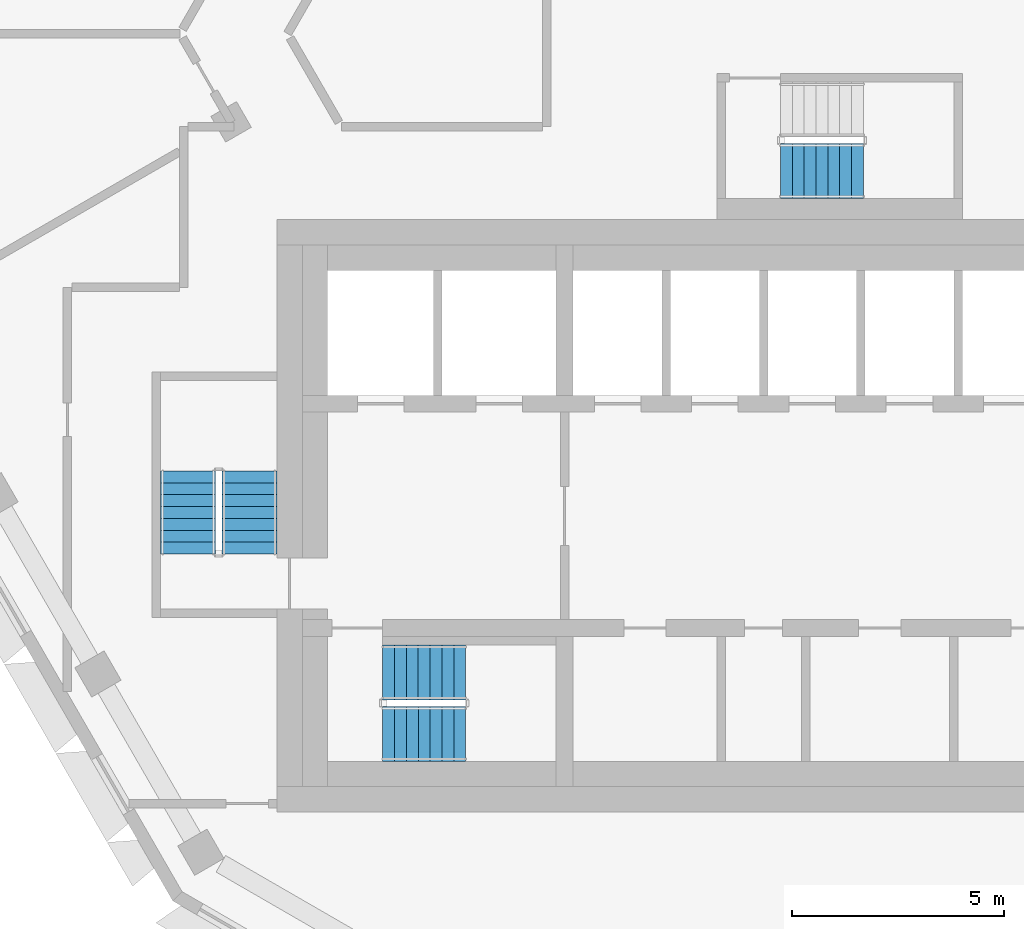
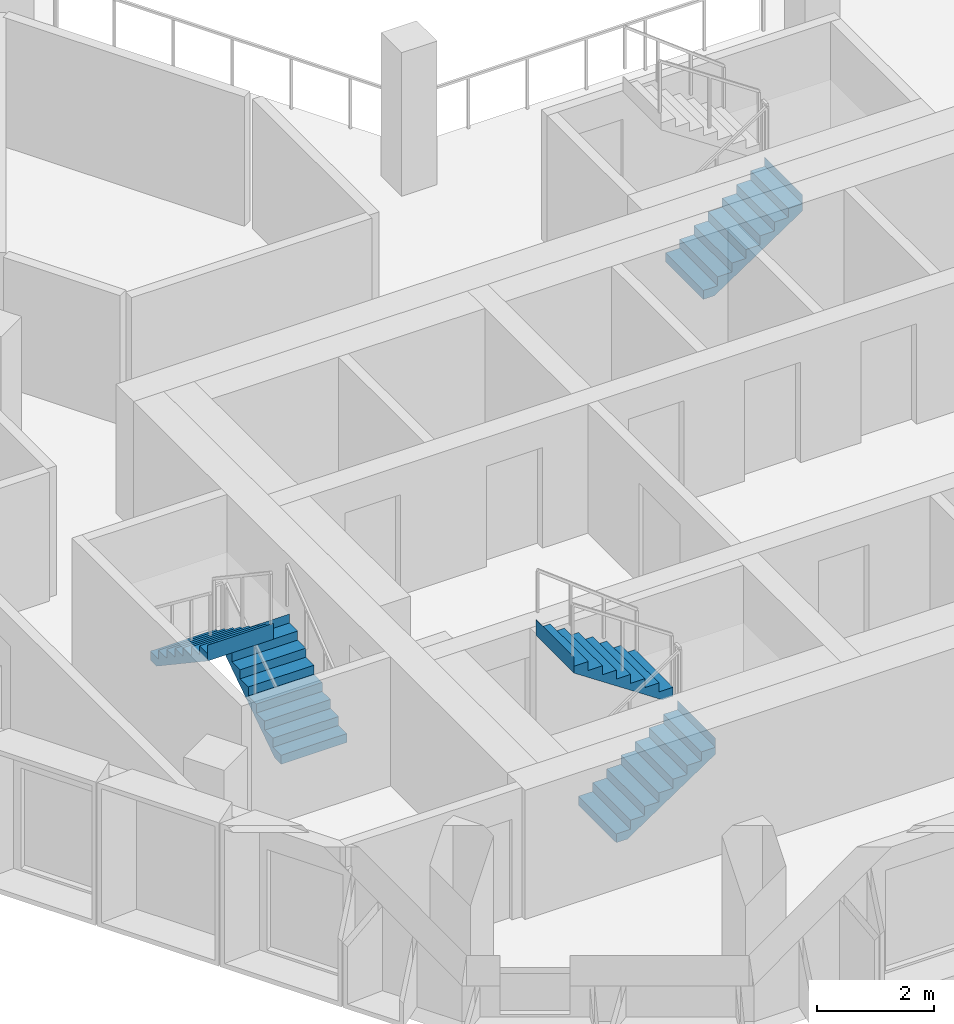
# One storey, part 9 of 15: 5 stair flights, 3 elements without a shape of their own.
"""IFC4 building model written with IfcOpenShell, lengths in metres."""

from ifc_helpers import new_model, si_unit, direction, frame, origin, place, context, subcontext, project, spatial, triangles, material, type_object, element, aggregate, save


model = new_model("IFC4")

# Units and contexts
model_context = context("Model", 3, precision=1e-05, world=origin(), true_north=direction((0.0, 1.0)))
body_context = subcontext(model_context, "Body", "Model", "MODEL_VIEW")
ifc_project = project(units=[si_unit("LENGTHUNIT", "METRE"), si_unit("AREAUNIT", "SQUARE_METRE"), si_unit("VOLUMEUNIT", "CUBIC_METRE"), si_unit("PLANEANGLEUNIT", "RADIAN"), si_unit("MASSUNIT", "GRAM", prefix="KILO")], contexts=[model_context])

# Site, building, storey
site_placement = place(None, origin())
site = spatial("IfcSite", under=ifc_project, at=site_placement, CompositionType="ELEMENT")
building_placement = place(site_placement, origin())
building = spatial("IfcBuilding", under=site, at=building_placement, Name="Beryl Residences", CompositionType="ELEMENT")
storey_placement = place(building_placement, frame((0.0, 0.0, 163.199951171875)))
storey = spatial("IfcBuildingStorey", under=building, at=storey_placement, Name="L49", CompositionType="ELEMENT", Elevation=163.199951171875)

# Stair, stair flights
ifc_material_1 = material(Name="Concrete C40/50", Category="concrete")
stair_type = type_object("IfcStairType", Name="ST1 protected exit stair, half-turn, 1300 mm flights", PredefinedType="HALF_TURN_STAIR", material=ifc_material_1)
stair_1_placement = place(storey_placement, origin())
stair_1 = element("IfcStair", 1, at=stair_1_placement, inside=storey, type_object=stair_type, Name="L49 PROTECTED EXIT STAIR ST-1", PredefinedType="HALF_TURN_STAIR")
ifc_material_2 = material(Name="Concrete C40/50", Category="concrete")
stair_flight_type = type_object("IfcStairFlightType", Name="SF1 stair flight 1300 mm", PredefinedType="STRAIGHT", material=ifc_material_2)
stair_flight_1_placement = place(storey_placement, frame((-10.800048828125, -17.14990234375, 0.0), z_axis=(0.0, 0.0, 1.0), x_axis=(1.0, 0.0, 0.0)))
stair_flight_1 = element("IfcStairFlight", 2, at=stair_flight_1_placement, type_object=stair_flight_type, Name="ST-1 flight 1", NumberOfRisers=8, NumberOfTreads=7, PredefinedType="STRAIGHT", RiserHeight=0.1875, TreadLength=0.28, context=body_context, shape_type="Tessellation", body=[
    triangles([(0.0, -0.64990234375, 0.0), (0.0, -0.324951171875, 0.0), (0.0, 0.0, 0.0), (0.0, 0.324951171875, 0.0), (0.0, 0.64990234375, 0.0), (0.0, -0.64990234375, 0.1875), (0.0, -0.324951171875, 0.1875), (0.0, 0.0, 0.1875), (0.0, 0.324951171875, 0.1875), (0.0, 0.64990234375, 0.1875), (0.280029296875, -0.64990234375, 0.1875), (0.280029296875, -0.324951171875, 0.1875), (0.280029296875, 0.0, 0.1875), (0.280029296875, 0.324951171875, 0.1875), (0.280029296875, 0.64990234375, 0.1875), (0.280029296875, -0.64990234375, 0.375), (0.280029296875, -0.324951171875, 0.375), (0.280029296875, 0.0, 0.375), (0.280029296875, 0.324951171875, 0.375), (0.280029296875, 0.64990234375, 0.375), (0.56005859375, -0.64990234375, 0.375), (0.56005859375, -0.324951171875, 0.375), (0.56005859375, 0.0, 0.375), (0.56005859375, 0.324951171875, 0.375), (0.56005859375, 0.64990234375, 0.375), (0.56005859375, -0.64990234375, 0.5625), (0.56005859375, -0.324951171875, 0.5625), (0.56005859375, 0.0, 0.5625), (0.56005859375, 0.324951171875, 0.5625), (0.56005859375, 0.64990234375, 0.5625), (0.840087890625, -0.64990234375, 0.5625), (0.840087890625, -0.324951171875, 0.5625), (0.840087890625, 0.0, 0.5625), (0.840087890625, 0.324951171875, 0.5625), (0.840087890625, 0.64990234375, 0.5625), (0.840087890625, -0.64990234375, 0.75), (0.840087890625, -0.324951171875, 0.75), (0.840087890625, 0.0, 0.75), (0.840087890625, 0.324951171875, 0.75), (0.840087890625, 0.64990234375, 0.75), (1.1201171875, -0.64990234375, 0.75), (1.1201171875, -0.324951171875, 0.75), (1.1201171875, 0.0, 0.75), (1.1201171875, 0.324951171875, 0.75), (1.1201171875, 0.64990234375, 0.75), (1.1201171875, -0.64990234375, 0.9375), (1.1201171875, -0.324951171875, 0.9375), (1.1201171875, 0.0, 0.9375), (1.1201171875, 0.324951171875, 0.9375), (1.1201171875, 0.64990234375, 0.9375), (1.39990234375, -0.64990234375, 0.9375), (1.39990234375, -0.324951171875, 0.9375), (1.39990234375, 0.0, 0.9375), (1.39990234375, 0.324951171875, 0.9375), (1.39990234375, 0.64990234375, 0.9375), (1.39990234375, -0.64990234375, 1.125), (1.39990234375, -0.324951171875, 1.125), (1.39990234375, 0.0, 1.125), (1.39990234375, 0.324951171875, 1.125), (1.39990234375, 0.64990234375, 1.125), (1.679931640625, -0.64990234375, 1.125), (1.679931640625, -0.324951171875, 1.125), (1.679931640625, 0.0, 1.125), (1.679931640625, 0.324951171875, 1.125), (1.679931640625, 0.64990234375, 1.125), (1.679931640625, -0.64990234375, 1.3125), (1.679931640625, -0.324951171875, 1.3125), (1.679931640625, 0.0, 1.3125), (1.679931640625, 0.324951171875, 1.3125), (1.679931640625, 0.64990234375, 1.3125), (1.9599609375, -0.64990234375, 1.3125), (1.9599609375, -0.324951171875, 1.3125), (1.9599609375, 0.0, 1.3125), (1.9599609375, 0.324951171875, 1.3125), (1.9599609375, 0.64990234375, 1.3125), (1.9599609375, -0.64990234375, 1.5), (1.9599609375, -0.324951171875, 1.5), (1.9599609375, 0.0, 1.5), (1.9599609375, 0.324951171875, 1.5), (1.9599609375, 0.64990234375, 1.5), (1.9609375, -0.64990234375, 1.5), (1.9609375, -0.324951171875, 1.5), (1.9609375, 0.0, 1.5), (1.9609375, 0.324951171875, 1.5), (1.9609375, 0.64990234375, 1.5), (1.9609375, -0.64990234375, 1.16796875), (1.9609375, -0.324951171875, 1.16796875), (1.9609375, 0.0, 1.16796875), (1.9609375, 0.324951171875, 1.16796875), (1.9609375, 0.64990234375, 1.16796875), (0.216796875, -0.64990234375, 0.0), (0.216796875, -0.324951171875, 0.0), (0.216796875, 0.0, 0.0), (0.216796875, 0.324951171875, 0.0), (0.216796875, 0.64990234375, 0.0)], [[1, 6, 7], [1, 7, 2], [2, 7, 8], [2, 8, 3], [3, 8, 9], [3, 9, 4], [4, 9, 10], [4, 10, 5], [6, 11, 12], [6, 12, 7], [7, 12, 13], [7, 13, 8], [8, 13, 14], [8, 14, 9], [9, 14, 15], [9, 15, 10], [11, 16, 17], [11, 17, 12], [12, 17, 18], [12, 18, 13], [13, 18, 19], [13, 19, 14], [14, 19, 20], [14, 20, 15], [16, 21, 22], [16, 22, 17], [17, 22, 23], [17, 23, 18], [18, 23, 24], [18, 24, 19], [19, 24, 25], [19, 25, 20], [21, 26, 27], [21, 27, 22], [22, 27, 28], [22, 28, 23], [23, 28, 29], [23, 29, 24], [24, 29, 30], [24, 30, 25], [26, 31, 32], [26, 32, 27], [27, 32, 33], [27, 33, 28], [28, 33, 34], [28, 34, 29], [29, 34, 35], [29, 35, 30], [31, 36, 37], [31, 37, 32], [32, 37, 38], [32, 38, 33], [33, 38, 39], [33, 39, 34], [34, 39, 40], [34, 40, 35], [36, 41, 42], [36, 42, 37], [37, 42, 43], [37, 43, 38], [38, 43, 44], [38, 44, 39], [39, 44, 45], [39, 45, 40], [41, 46, 47], [41, 47, 42], [42, 47, 48], [42, 48, 43], [43, 48, 49], [43, 49, 44], [44, 49, 50], [44, 50, 45], [46, 51, 52], [46, 52, 47], [47, 52, 53], [47, 53, 48], [48, 53, 54], [48, 54, 49], [49, 54, 55], [49, 55, 50], [51, 56, 57], [51, 57, 52], [52, 57, 58], [52, 58, 53], [53, 58, 59], [53, 59, 54], [54, 59, 60], [54, 60, 55], [56, 61, 62], [56, 62, 57], [57, 62, 63], [57, 63, 58], [58, 63, 64], [58, 64, 59], [59, 64, 65], [59, 65, 60], [61, 66, 67], [61, 67, 62], [62, 67, 68], [62, 68, 63], [63, 68, 69], [63, 69, 64], [64, 69, 70], [64, 70, 65], [66, 71, 72], [66, 72, 67], [67, 72, 73], [67, 73, 68], [68, 73, 74], [68, 74, 69], [69, 74, 75], [69, 75, 70], [71, 76, 77], [71, 77, 72], [72, 77, 78], [72, 78, 73], [73, 78, 79], [73, 79, 74], [74, 79, 80], [74, 80, 75], [76, 81, 82], [76, 82, 77], [77, 82, 83], [77, 83, 78], [78, 83, 84], [78, 84, 79], [79, 84, 85], [79, 85, 80], [81, 86, 87], [81, 87, 82], [82, 87, 88], [82, 88, 83], [83, 88, 89], [83, 89, 84], [84, 89, 90], [84, 90, 85], [86, 91, 92], [86, 92, 87], [87, 92, 93], [87, 93, 88], [88, 93, 94], [88, 94, 89], [89, 94, 95], [89, 95, 90], [91, 1, 2], [91, 2, 92], [92, 2, 3], [92, 3, 93], [93, 3, 4], [93, 4, 94], [94, 4, 5], [94, 5, 95], [1, 91, 86], [5, 90, 95], [86, 81, 76], [90, 80, 85], [86, 76, 71], [90, 75, 80], [86, 71, 66], [90, 70, 75], [86, 66, 61], [90, 65, 70], [61, 56, 51], [65, 55, 60], [86, 61, 51], [90, 55, 65], [51, 46, 41], [55, 45, 50], [86, 51, 41], [90, 45, 55], [41, 36, 31], [45, 35, 40], [86, 41, 31], [90, 35, 45], [31, 26, 21], [35, 25, 30], [86, 31, 21], [90, 25, 35], [21, 16, 11], [25, 15, 20], [86, 21, 11], [90, 15, 25], [1, 86, 11], [5, 15, 90], [11, 6, 1], [15, 5, 10]], closed=True),
])
stair_flight_2_placement = place(storey_placement, frame((-8.840087890625, -15.699951171875, 1.5), z_axis=(0.0, 0.0, 1.0), x_axis=(-1.0, 0.0, 0.0)))
stair_flight_2 = element("IfcStairFlight", 3, at=stair_flight_2_placement, type_object=stair_flight_type, Name="ST-1 flight 2", NumberOfRisers=8, NumberOfTreads=7, PredefinedType="STRAIGHT", RiserHeight=0.1875, TreadLength=0.28, context=body_context, shape_type="Tessellation", body=[
    triangles([(0.0, -0.64990234375, 0.0), (0.0, -0.324951171875, 0.0), (0.0, 0.0, 0.0), (0.0, 0.324951171875, 0.0), (0.0, 0.64990234375, 0.0), (0.0, -0.64990234375, 0.1875), (0.0, -0.324951171875, 0.1875), (0.0, 0.0, 0.1875), (0.0, 0.324951171875, 0.1875), (0.0, 0.64990234375, 0.1875), (0.280029296875, -0.64990234375, 0.1875), (0.280029296875, -0.324951171875, 0.1875), (0.280029296875, 0.0, 0.1875), (0.280029296875, 0.324951171875, 0.1875), (0.280029296875, 0.64990234375, 0.1875), (0.280029296875, -0.64990234375, 0.375), (0.280029296875, -0.324951171875, 0.375), (0.280029296875, 0.0, 0.375), (0.280029296875, 0.324951171875, 0.375), (0.280029296875, 0.64990234375, 0.375), (0.56005859375, -0.64990234375, 0.375), (0.56005859375, -0.324951171875, 0.375), (0.56005859375, 0.0, 0.375), (0.56005859375, 0.324951171875, 0.375), (0.56005859375, 0.64990234375, 0.375), (0.56005859375, -0.64990234375, 0.5625), (0.56005859375, -0.324951171875, 0.5625), (0.56005859375, 0.0, 0.5625), (0.56005859375, 0.324951171875, 0.5625), (0.56005859375, 0.64990234375, 0.5625), (0.840087890625, -0.64990234375, 0.5625), (0.840087890625, -0.324951171875, 0.5625), (0.840087890625, 0.0, 0.5625), (0.840087890625, 0.324951171875, 0.5625), (0.840087890625, 0.64990234375, 0.5625), (0.840087890625, -0.64990234375, 0.75), (0.840087890625, -0.324951171875, 0.75), (0.840087890625, 0.0, 0.75), (0.840087890625, 0.324951171875, 0.75), (0.840087890625, 0.64990234375, 0.75), (1.1201171875, -0.64990234375, 0.75), (1.1201171875, -0.324951171875, 0.75), (1.1201171875, 0.0, 0.75), (1.1201171875, 0.324951171875, 0.75), (1.1201171875, 0.64990234375, 0.75), (1.1201171875, -0.64990234375, 0.9375), (1.1201171875, -0.324951171875, 0.9375), (1.1201171875, 0.0, 0.9375), (1.1201171875, 0.324951171875, 0.9375), (1.1201171875, 0.64990234375, 0.9375), (1.39990234375, -0.64990234375, 0.9375), (1.39990234375, -0.324951171875, 0.9375), (1.39990234375, 0.0, 0.9375), (1.39990234375, 0.324951171875, 0.9375), (1.39990234375, 0.64990234375, 0.9375), (1.39990234375, -0.64990234375, 1.125), (1.39990234375, -0.324951171875, 1.125), (1.39990234375, 0.0, 1.125), (1.39990234375, 0.324951171875, 1.125), (1.39990234375, 0.64990234375, 1.125), (1.679931640625, -0.64990234375, 1.125), (1.679931640625, -0.324951171875, 1.125), (1.679931640625, 0.0, 1.125), (1.679931640625, 0.324951171875, 1.125), (1.679931640625, 0.64990234375, 1.125), (1.679931640625, -0.64990234375, 1.3125), (1.679931640625, -0.324951171875, 1.3125), (1.679931640625, 0.0, 1.3125), (1.679931640625, 0.324951171875, 1.3125), (1.679931640625, 0.64990234375, 1.3125), (1.9599609375, -0.64990234375, 1.3125), (1.9599609375, -0.324951171875, 1.3125), (1.9599609375, 0.0, 1.3125), (1.9599609375, 0.324951171875, 1.3125), (1.9599609375, 0.64990234375, 1.3125), (1.9599609375, -0.64990234375, 1.5), (1.9599609375, -0.324951171875, 1.5), (1.9599609375, 0.0, 1.5), (1.9599609375, 0.324951171875, 1.5), (1.9599609375, 0.64990234375, 1.5), (1.9609375, -0.64990234375, 1.5), (1.9609375, -0.324951171875, 1.5), (1.9609375, 0.0, 1.5), (1.9609375, 0.324951171875, 1.5), (1.9609375, 0.64990234375, 1.5), (1.9609375, -0.64990234375, 1.16796875), (1.9609375, -0.324951171875, 1.16796875), (1.9609375, 0.0, 1.16796875), (1.9609375, 0.324951171875, 1.16796875), (1.9609375, 0.64990234375, 1.16796875), (0.216796875, -0.64990234375, 0.0), (0.216796875, -0.324951171875, 0.0), (0.216796875, 0.0, 0.0), (0.216796875, 0.324951171875, 0.0), (0.216796875, 0.64990234375, 0.0)], [[1, 6, 7], [1, 7, 2], [2, 7, 8], [2, 8, 3], [3, 8, 9], [3, 9, 4], [4, 9, 10], [4, 10, 5], [6, 11, 12], [6, 12, 7], [7, 12, 13], [7, 13, 8], [8, 13, 14], [8, 14, 9], [9, 14, 15], [9, 15, 10], [11, 16, 17], [11, 17, 12], [12, 17, 18], [12, 18, 13], [13, 18, 19], [13, 19, 14], [14, 19, 20], [14, 20, 15], [16, 21, 22], [16, 22, 17], [17, 22, 23], [17, 23, 18], [18, 23, 24], [18, 24, 19], [19, 24, 25], [19, 25, 20], [21, 26, 27], [21, 27, 22], [22, 27, 28], [22, 28, 23], [23, 28, 29], [23, 29, 24], [24, 29, 30], [24, 30, 25], [26, 31, 32], [26, 32, 27], [27, 32, 33], [27, 33, 28], [28, 33, 34], [28, 34, 29], [29, 34, 35], [29, 35, 30], [31, 36, 37], [31, 37, 32], [32, 37, 38], [32, 38, 33], [33, 38, 39], [33, 39, 34], [34, 39, 40], [34, 40, 35], [36, 41, 42], [36, 42, 37], [37, 42, 43], [37, 43, 38], [38, 43, 44], [38, 44, 39], [39, 44, 45], [39, 45, 40], [41, 46, 47], [41, 47, 42], [42, 47, 48], [42, 48, 43], [43, 48, 49], [43, 49, 44], [44, 49, 50], [44, 50, 45], [46, 51, 52], [46, 52, 47], [47, 52, 53], [47, 53, 48], [48, 53, 54], [48, 54, 49], [49, 54, 55], [49, 55, 50], [51, 56, 57], [51, 57, 52], [52, 57, 58], [52, 58, 53], [53, 58, 59], [53, 59, 54], [54, 59, 60], [54, 60, 55], [56, 61, 62], [56, 62, 57], [57, 62, 63], [57, 63, 58], [58, 63, 64], [58, 64, 59], [59, 64, 65], [59, 65, 60], [61, 66, 67], [61, 67, 62], [62, 67, 68], [62, 68, 63], [63, 68, 69], [63, 69, 64], [64, 69, 70], [64, 70, 65], [66, 71, 72], [66, 72, 67], [67, 72, 73], [67, 73, 68], [68, 73, 74], [68, 74, 69], [69, 74, 75], [69, 75, 70], [71, 76, 77], [71, 77, 72], [72, 77, 78], [72, 78, 73], [73, 78, 79], [73, 79, 74], [74, 79, 80], [74, 80, 75], [76, 81, 82], [76, 82, 77], [77, 82, 83], [77, 83, 78], [78, 83, 84], [78, 84, 79], [79, 84, 85], [79, 85, 80], [81, 86, 87], [81, 87, 82], [82, 87, 88], [82, 88, 83], [83, 88, 89], [83, 89, 84], [84, 89, 90], [84, 90, 85], [86, 91, 92], [86, 92, 87], [87, 92, 93], [87, 93, 88], [88, 93, 94], [88, 94, 89], [89, 94, 95], [89, 95, 90], [91, 1, 2], [91, 2, 92], [92, 2, 3], [92, 3, 93], [93, 3, 4], [93, 4, 94], [94, 4, 5], [94, 5, 95], [1, 91, 86], [5, 90, 95], [86, 81, 76], [90, 80, 85], [86, 76, 71], [90, 75, 80], [86, 71, 66], [90, 70, 75], [86, 66, 61], [90, 65, 70], [61, 56, 51], [65, 55, 60], [86, 61, 51], [90, 55, 65], [51, 46, 41], [55, 45, 50], [86, 51, 41], [90, 45, 55], [41, 36, 31], [45, 35, 40], [86, 41, 31], [90, 35, 45], [31, 26, 21], [35, 25, 30], [86, 31, 21], [90, 25, 35], [21, 16, 11], [25, 15, 20], [86, 21, 11], [90, 15, 25], [1, 86, 11], [5, 15, 90], [11, 6, 1], [15, 5, 10]], closed=True),
])
aggregate(stair_1, [stair_flight_1, stair_flight_2])

stair_2_placement = place(storey_placement, origin())
stair_2 = element("IfcStair", 4, at=stair_2_placement, inside=storey, type_object=stair_type, Name="L49 PROTECTED EXIT STAIR ST-2", PredefinedType="HALF_TURN_STAIR")
stair_flight_3_placement = place(storey_placement, frame((-13.949951171875, -12.89990234375, 0.0), z_axis=(0.0, 0.0, 1.0), x_axis=(0.0, 1.0, 0.0)))
stair_flight_3 = element("IfcStairFlight", 5, at=stair_flight_3_placement, type_object=stair_flight_type, Name="ST-2 flight 1", NumberOfRisers=8, NumberOfTreads=7, PredefinedType="STRAIGHT", RiserHeight=0.1875, TreadLength=0.28, context=body_context, shape_type="Tessellation", body=[
    triangles([(0.0, -0.64990234375, 0.0), (0.0, -0.324951171875, 0.0), (0.0, 0.0, 0.0), (0.0, 0.324951171875, 0.0), (0.0, 0.64990234375, 0.0), (0.0, -0.64990234375, 0.1875), (0.0, -0.324951171875, 0.1875), (0.0, 0.0, 0.1875), (0.0, 0.324951171875, 0.1875), (0.0, 0.64990234375, 0.1875), (0.280029296875, -0.64990234375, 0.1875), (0.280029296875, -0.324951171875, 0.1875), (0.280029296875, 0.0, 0.1875), (0.280029296875, 0.324951171875, 0.1875), (0.280029296875, 0.64990234375, 0.1875), (0.280029296875, -0.64990234375, 0.375), (0.280029296875, -0.324951171875, 0.375), (0.280029296875, 0.0, 0.375), (0.280029296875, 0.324951171875, 0.375), (0.280029296875, 0.64990234375, 0.375), (0.56005859375, -0.64990234375, 0.375), (0.56005859375, -0.324951171875, 0.375), (0.56005859375, 0.0, 0.375), (0.56005859375, 0.324951171875, 0.375), (0.56005859375, 0.64990234375, 0.375), (0.56005859375, -0.64990234375, 0.5625), (0.56005859375, -0.324951171875, 0.5625), (0.56005859375, 0.0, 0.5625), (0.56005859375, 0.324951171875, 0.5625), (0.56005859375, 0.64990234375, 0.5625), (0.840087890625, -0.64990234375, 0.5625), (0.840087890625, -0.324951171875, 0.5625), (0.840087890625, 0.0, 0.5625), (0.840087890625, 0.324951171875, 0.5625), (0.840087890625, 0.64990234375, 0.5625), (0.840087890625, -0.64990234375, 0.75), (0.840087890625, -0.324951171875, 0.75), (0.840087890625, 0.0, 0.75), (0.840087890625, 0.324951171875, 0.75), (0.840087890625, 0.64990234375, 0.75), (1.1201171875, -0.64990234375, 0.75), (1.1201171875, -0.324951171875, 0.75), (1.1201171875, 0.0, 0.75), (1.1201171875, 0.324951171875, 0.75), (1.1201171875, 0.64990234375, 0.75), (1.1201171875, -0.64990234375, 0.9375), (1.1201171875, -0.324951171875, 0.9375), (1.1201171875, 0.0, 0.9375), (1.1201171875, 0.324951171875, 0.9375), (1.1201171875, 0.64990234375, 0.9375), (1.39990234375, -0.64990234375, 0.9375), (1.39990234375, -0.324951171875, 0.9375), (1.39990234375, 0.0, 0.9375), (1.39990234375, 0.324951171875, 0.9375), (1.39990234375, 0.64990234375, 0.9375), (1.39990234375, -0.64990234375, 1.125), (1.39990234375, -0.324951171875, 1.125), (1.39990234375, 0.0, 1.125), (1.39990234375, 0.324951171875, 1.125), (1.39990234375, 0.64990234375, 1.125), (1.679931640625, -0.64990234375, 1.125), (1.679931640625, -0.324951171875, 1.125), (1.679931640625, 0.0, 1.125), (1.679931640625, 0.324951171875, 1.125), (1.679931640625, 0.64990234375, 1.125), (1.679931640625, -0.64990234375, 1.3125), (1.679931640625, -0.324951171875, 1.3125), (1.679931640625, 0.0, 1.3125), (1.679931640625, 0.324951171875, 1.3125), (1.679931640625, 0.64990234375, 1.3125), (1.9599609375, -0.64990234375, 1.3125), (1.9599609375, -0.324951171875, 1.3125), (1.9599609375, 0.0, 1.3125), (1.9599609375, 0.324951171875, 1.3125), (1.9599609375, 0.64990234375, 1.3125), (1.9599609375, -0.64990234375, 1.5), (1.9599609375, -0.324951171875, 1.5), (1.9599609375, 0.0, 1.5), (1.9599609375, 0.324951171875, 1.5), (1.9599609375, 0.64990234375, 1.5), (1.9609375, -0.64990234375, 1.5), (1.9609375, -0.324951171875, 1.5), (1.9609375, 0.0, 1.5), (1.9609375, 0.324951171875, 1.5), (1.9609375, 0.64990234375, 1.5), (1.9609375, -0.64990234375, 1.16796875), (1.9609375, -0.324951171875, 1.16796875), (1.9609375, 0.0, 1.16796875), (1.9609375, 0.324951171875, 1.16796875), (1.9609375, 0.64990234375, 1.16796875), (0.216796875, -0.64990234375, 0.0), (0.216796875, -0.324951171875, 0.0), (0.216796875, 0.0, 0.0), (0.216796875, 0.324951171875, 0.0), (0.216796875, 0.64990234375, 0.0)], [[1, 6, 7], [1, 7, 2], [2, 7, 8], [2, 8, 3], [3, 8, 9], [3, 9, 4], [4, 9, 10], [4, 10, 5], [6, 11, 12], [6, 12, 7], [7, 12, 13], [7, 13, 8], [8, 13, 14], [8, 14, 9], [9, 14, 15], [9, 15, 10], [11, 16, 17], [11, 17, 12], [12, 17, 18], [12, 18, 13], [13, 18, 19], [13, 19, 14], [14, 19, 20], [14, 20, 15], [16, 21, 22], [16, 22, 17], [17, 22, 23], [17, 23, 18], [18, 23, 24], [18, 24, 19], [19, 24, 25], [19, 25, 20], [21, 26, 27], [21, 27, 22], [22, 27, 28], [22, 28, 23], [23, 28, 29], [23, 29, 24], [24, 29, 30], [24, 30, 25], [26, 31, 32], [26, 32, 27], [27, 32, 33], [27, 33, 28], [28, 33, 34], [28, 34, 29], [29, 34, 35], [29, 35, 30], [31, 36, 37], [31, 37, 32], [32, 37, 38], [32, 38, 33], [33, 38, 39], [33, 39, 34], [34, 39, 40], [34, 40, 35], [36, 41, 42], [36, 42, 37], [37, 42, 43], [37, 43, 38], [38, 43, 44], [38, 44, 39], [39, 44, 45], [39, 45, 40], [41, 46, 47], [41, 47, 42], [42, 47, 48], [42, 48, 43], [43, 48, 49], [43, 49, 44], [44, 49, 50], [44, 50, 45], [46, 51, 52], [46, 52, 47], [47, 52, 53], [47, 53, 48], [48, 53, 54], [48, 54, 49], [49, 54, 55], [49, 55, 50], [51, 56, 57], [51, 57, 52], [52, 57, 58], [52, 58, 53], [53, 58, 59], [53, 59, 54], [54, 59, 60], [54, 60, 55], [56, 61, 62], [56, 62, 57], [57, 62, 63], [57, 63, 58], [58, 63, 64], [58, 64, 59], [59, 64, 65], [59, 65, 60], [61, 66, 67], [61, 67, 62], [62, 67, 68], [62, 68, 63], [63, 68, 69], [63, 69, 64], [64, 69, 70], [64, 70, 65], [66, 71, 72], [66, 72, 67], [67, 72, 73], [67, 73, 68], [68, 73, 74], [68, 74, 69], [69, 74, 75], [69, 75, 70], [71, 76, 77], [71, 77, 72], [72, 77, 78], [72, 78, 73], [73, 78, 79], [73, 79, 74], [74, 79, 80], [74, 80, 75], [76, 81, 82], [76, 82, 77], [77, 82, 83], [77, 83, 78], [78, 83, 84], [78, 84, 79], [79, 84, 85], [79, 85, 80], [81, 86, 87], [81, 87, 82], [82, 87, 88], [82, 88, 83], [83, 88, 89], [83, 89, 84], [84, 89, 90], [84, 90, 85], [86, 91, 92], [86, 92, 87], [87, 92, 93], [87, 93, 88], [88, 93, 94], [88, 94, 89], [89, 94, 95], [89, 95, 90], [91, 1, 2], [91, 2, 92], [92, 2, 3], [92, 3, 93], [93, 3, 4], [93, 4, 94], [94, 4, 5], [94, 5, 95], [1, 91, 86], [5, 90, 95], [86, 81, 76], [90, 80, 85], [86, 76, 71], [90, 75, 80], [86, 71, 66], [90, 70, 75], [86, 66, 61], [90, 65, 70], [61, 56, 51], [65, 55, 60], [86, 61, 51], [90, 55, 65], [51, 46, 41], [55, 45, 50], [86, 51, 41], [90, 45, 55], [41, 36, 31], [45, 35, 40], [86, 41, 31], [90, 35, 45], [31, 26, 21], [35, 25, 30], [86, 31, 21], [90, 25, 35], [21, 16, 11], [25, 15, 20], [86, 21, 11], [90, 15, 25], [1, 86, 11], [5, 15, 90], [11, 6, 1], [15, 5, 10]], closed=True),
])
stair_flight_4_placement = place(storey_placement, frame((-15.39990234375, -10.93994140625, 1.5), z_axis=(0.0, 0.0, 1.0), x_axis=(0.0, -1.0, 0.0)))
stair_flight_4 = element("IfcStairFlight", 6, at=stair_flight_4_placement, type_object=stair_flight_type, Name="ST-2 flight 2", NumberOfRisers=8, NumberOfTreads=7, PredefinedType="STRAIGHT", RiserHeight=0.1875, TreadLength=0.28, context=body_context, shape_type="Tessellation", body=[
    triangles([(0.0, -0.64990234375, 0.0), (0.0, -0.324951171875, 0.0), (0.0, 0.0, 0.0), (0.0, 0.324951171875, 0.0), (0.0, 0.64990234375, 0.0), (0.0, -0.64990234375, 0.1875), (0.0, -0.324951171875, 0.1875), (0.0, 0.0, 0.1875), (0.0, 0.324951171875, 0.1875), (0.0, 0.64990234375, 0.1875), (0.280029296875, -0.64990234375, 0.1875), (0.280029296875, -0.324951171875, 0.1875), (0.280029296875, 0.0, 0.1875), (0.280029296875, 0.324951171875, 0.1875), (0.280029296875, 0.64990234375, 0.1875), (0.280029296875, -0.64990234375, 0.375), (0.280029296875, -0.324951171875, 0.375), (0.280029296875, 0.0, 0.375), (0.280029296875, 0.324951171875, 0.375), (0.280029296875, 0.64990234375, 0.375), (0.56005859375, -0.64990234375, 0.375), (0.56005859375, -0.324951171875, 0.375), (0.56005859375, 0.0, 0.375), (0.56005859375, 0.324951171875, 0.375), (0.56005859375, 0.64990234375, 0.375), (0.56005859375, -0.64990234375, 0.5625), (0.56005859375, -0.324951171875, 0.5625), (0.56005859375, 0.0, 0.5625), (0.56005859375, 0.324951171875, 0.5625), (0.56005859375, 0.64990234375, 0.5625), (0.840087890625, -0.64990234375, 0.5625), (0.840087890625, -0.324951171875, 0.5625), (0.840087890625, 0.0, 0.5625), (0.840087890625, 0.324951171875, 0.5625), (0.840087890625, 0.64990234375, 0.5625), (0.840087890625, -0.64990234375, 0.75), (0.840087890625, -0.324951171875, 0.75), (0.840087890625, 0.0, 0.75), (0.840087890625, 0.324951171875, 0.75), (0.840087890625, 0.64990234375, 0.75), (1.1201171875, -0.64990234375, 0.75), (1.1201171875, -0.324951171875, 0.75), (1.1201171875, 0.0, 0.75), (1.1201171875, 0.324951171875, 0.75), (1.1201171875, 0.64990234375, 0.75), (1.1201171875, -0.64990234375, 0.9375), (1.1201171875, -0.324951171875, 0.9375), (1.1201171875, 0.0, 0.9375), (1.1201171875, 0.324951171875, 0.9375), (1.1201171875, 0.64990234375, 0.9375), (1.39990234375, -0.64990234375, 0.9375), (1.39990234375, -0.324951171875, 0.9375), (1.39990234375, 0.0, 0.9375), (1.39990234375, 0.324951171875, 0.9375), (1.39990234375, 0.64990234375, 0.9375), (1.39990234375, -0.64990234375, 1.125), (1.39990234375, -0.324951171875, 1.125), (1.39990234375, 0.0, 1.125), (1.39990234375, 0.324951171875, 1.125), (1.39990234375, 0.64990234375, 1.125), (1.679931640625, -0.64990234375, 1.125), (1.679931640625, -0.324951171875, 1.125), (1.679931640625, 0.0, 1.125), (1.679931640625, 0.324951171875, 1.125), (1.679931640625, 0.64990234375, 1.125), (1.679931640625, -0.64990234375, 1.3125), (1.679931640625, -0.324951171875, 1.3125), (1.679931640625, 0.0, 1.3125), (1.679931640625, 0.324951171875, 1.3125), (1.679931640625, 0.64990234375, 1.3125), (1.9599609375, -0.64990234375, 1.3125), (1.9599609375, -0.324951171875, 1.3125), (1.9599609375, 0.0, 1.3125), (1.9599609375, 0.324951171875, 1.3125), (1.9599609375, 0.64990234375, 1.3125), (1.9599609375, -0.64990234375, 1.5), (1.9599609375, -0.324951171875, 1.5), (1.9599609375, 0.0, 1.5), (1.9599609375, 0.324951171875, 1.5), (1.9599609375, 0.64990234375, 1.5), (1.9609375, -0.64990234375, 1.5), (1.9609375, -0.324951171875, 1.5), (1.9609375, 0.0, 1.5), (1.9609375, 0.324951171875, 1.5), (1.9609375, 0.64990234375, 1.5), (1.9609375, -0.64990234375, 1.16796875), (1.9609375, -0.324951171875, 1.16796875), (1.9609375, 0.0, 1.16796875), (1.9609375, 0.324951171875, 1.16796875), (1.9609375, 0.64990234375, 1.16796875), (0.216796875, -0.64990234375, 0.0), (0.216796875, -0.324951171875, 0.0), (0.216796875, 0.0, 0.0), (0.216796875, 0.324951171875, 0.0), (0.216796875, 0.64990234375, 0.0)], [[1, 6, 7], [1, 7, 2], [2, 7, 8], [2, 8, 3], [3, 8, 9], [3, 9, 4], [4, 9, 10], [4, 10, 5], [6, 11, 12], [6, 12, 7], [7, 12, 13], [7, 13, 8], [8, 13, 14], [8, 14, 9], [9, 14, 15], [9, 15, 10], [11, 16, 17], [11, 17, 12], [12, 17, 18], [12, 18, 13], [13, 18, 19], [13, 19, 14], [14, 19, 20], [14, 20, 15], [16, 21, 22], [16, 22, 17], [17, 22, 23], [17, 23, 18], [18, 23, 24], [18, 24, 19], [19, 24, 25], [19, 25, 20], [21, 26, 27], [21, 27, 22], [22, 27, 28], [22, 28, 23], [23, 28, 29], [23, 29, 24], [24, 29, 30], [24, 30, 25], [26, 31, 32], [26, 32, 27], [27, 32, 33], [27, 33, 28], [28, 33, 34], [28, 34, 29], [29, 34, 35], [29, 35, 30], [31, 36, 37], [31, 37, 32], [32, 37, 38], [32, 38, 33], [33, 38, 39], [33, 39, 34], [34, 39, 40], [34, 40, 35], [36, 41, 42], [36, 42, 37], [37, 42, 43], [37, 43, 38], [38, 43, 44], [38, 44, 39], [39, 44, 45], [39, 45, 40], [41, 46, 47], [41, 47, 42], [42, 47, 48], [42, 48, 43], [43, 48, 49], [43, 49, 44], [44, 49, 50], [44, 50, 45], [46, 51, 52], [46, 52, 47], [47, 52, 53], [47, 53, 48], [48, 53, 54], [48, 54, 49], [49, 54, 55], [49, 55, 50], [51, 56, 57], [51, 57, 52], [52, 57, 58], [52, 58, 53], [53, 58, 59], [53, 59, 54], [54, 59, 60], [54, 60, 55], [56, 61, 62], [56, 62, 57], [57, 62, 63], [57, 63, 58], [58, 63, 64], [58, 64, 59], [59, 64, 65], [59, 65, 60], [61, 66, 67], [61, 67, 62], [62, 67, 68], [62, 68, 63], [63, 68, 69], [63, 69, 64], [64, 69, 70], [64, 70, 65], [66, 71, 72], [66, 72, 67], [67, 72, 73], [67, 73, 68], [68, 73, 74], [68, 74, 69], [69, 74, 75], [69, 75, 70], [71, 76, 77], [71, 77, 72], [72, 77, 78], [72, 78, 73], [73, 78, 79], [73, 79, 74], [74, 79, 80], [74, 80, 75], [76, 81, 82], [76, 82, 77], [77, 82, 83], [77, 83, 78], [78, 83, 84], [78, 84, 79], [79, 84, 85], [79, 85, 80], [81, 86, 87], [81, 87, 82], [82, 87, 88], [82, 88, 83], [83, 88, 89], [83, 89, 84], [84, 89, 90], [84, 90, 85], [86, 91, 92], [86, 92, 87], [87, 92, 93], [87, 93, 88], [88, 93, 94], [88, 94, 89], [89, 94, 95], [89, 95, 90], [91, 1, 2], [91, 2, 92], [92, 2, 3], [92, 3, 93], [93, 3, 4], [93, 4, 94], [94, 4, 5], [94, 5, 95], [1, 91, 86], [5, 90, 95], [86, 81, 76], [90, 80, 85], [86, 76, 71], [90, 75, 80], [86, 71, 66], [90, 70, 75], [86, 66, 61], [90, 65, 70], [61, 56, 51], [65, 55, 60], [86, 61, 51], [90, 55, 65], [51, 46, 41], [55, 45, 50], [86, 51, 41], [90, 45, 55], [41, 36, 31], [45, 35, 40], [86, 41, 31], [90, 35, 45], [31, 26, 21], [35, 25, 30], [86, 31, 21], [90, 25, 35], [21, 16, 11], [25, 15, 20], [86, 21, 11], [90, 15, 25], [1, 86, 11], [5, 15, 90], [11, 6, 1], [15, 5, 10]], closed=True),
])
aggregate(stair_2, [stair_flight_3, stair_flight_4])

# Stair, stair flight
stair_3_placement = place(storey_placement, origin())
stair_3 = element("IfcStair", 7, at=stair_3_placement, inside=storey, type_object=stair_type, Name="L49 PROTECTED EXIT STAIR ST-4", PredefinedType="HALF_TURN_STAIR")
stair_flight_5_placement = place(storey_placement, frame((-1.39990234375, -3.85009765625, 0.0), z_axis=(0.0, 0.0, 1.0), x_axis=(1.0, 0.0, 0.0)))
stair_flight_5 = element("IfcStairFlight", 8, at=stair_flight_5_placement, type_object=stair_flight_type, Name="ST-4 flight 1", NumberOfRisers=8, NumberOfTreads=7, PredefinedType="STRAIGHT", RiserHeight=0.1875, TreadLength=0.28, context=body_context, shape_type="Tessellation", body=[
    triangles([(0.0, -0.64990234375, 0.0), (0.0, -0.324951171875, 0.0), (0.0, 0.0, 0.0), (0.0, 0.324951171875, 0.0), (0.0, 0.64990234375, 0.0), (0.0, -0.64990234375, 0.1875), (0.0, -0.324951171875, 0.1875), (0.0, 0.0, 0.1875), (0.0, 0.324951171875, 0.1875), (0.0, 0.64990234375, 0.1875), (0.280029296875, -0.64990234375, 0.1875), (0.280029296875, -0.324951171875, 0.1875), (0.280029296875, 0.0, 0.1875), (0.280029296875, 0.324951171875, 0.1875), (0.280029296875, 0.64990234375, 0.1875), (0.280029296875, -0.64990234375, 0.375), (0.280029296875, -0.324951171875, 0.375), (0.280029296875, 0.0, 0.375), (0.280029296875, 0.324951171875, 0.375), (0.280029296875, 0.64990234375, 0.375), (0.56005859375, -0.64990234375, 0.375), (0.56005859375, -0.324951171875, 0.375), (0.56005859375, 0.0, 0.375), (0.56005859375, 0.324951171875, 0.375), (0.56005859375, 0.64990234375, 0.375), (0.56005859375, -0.64990234375, 0.5625), (0.56005859375, -0.324951171875, 0.5625), (0.56005859375, 0.0, 0.5625), (0.56005859375, 0.324951171875, 0.5625), (0.56005859375, 0.64990234375, 0.5625), (0.840087890625, -0.64990234375, 0.5625), (0.840087890625, -0.324951171875, 0.5625), (0.840087890625, 0.0, 0.5625), (0.840087890625, 0.324951171875, 0.5625), (0.840087890625, 0.64990234375, 0.5625), (0.840087890625, -0.64990234375, 0.75), (0.840087890625, -0.324951171875, 0.75), (0.840087890625, 0.0, 0.75), (0.840087890625, 0.324951171875, 0.75), (0.840087890625, 0.64990234375, 0.75), (1.1201171875, -0.64990234375, 0.75), (1.1201171875, -0.324951171875, 0.75), (1.1201171875, 0.0, 0.75), (1.1201171875, 0.324951171875, 0.75), (1.1201171875, 0.64990234375, 0.75), (1.1201171875, -0.64990234375, 0.9375), (1.1201171875, -0.324951171875, 0.9375), (1.1201171875, 0.0, 0.9375), (1.1201171875, 0.324951171875, 0.9375), (1.1201171875, 0.64990234375, 0.9375), (1.39990234375, -0.64990234375, 0.9375), (1.39990234375, -0.324951171875, 0.9375), (1.39990234375, 0.0, 0.9375), (1.39990234375, 0.324951171875, 0.9375), (1.39990234375, 0.64990234375, 0.9375), (1.39990234375, -0.64990234375, 1.125), (1.39990234375, -0.324951171875, 1.125), (1.39990234375, 0.0, 1.125), (1.39990234375, 0.324951171875, 1.125), (1.39990234375, 0.64990234375, 1.125), (1.679931640625, -0.64990234375, 1.125), (1.679931640625, -0.324951171875, 1.125), (1.679931640625, 0.0, 1.125), (1.679931640625, 0.324951171875, 1.125), (1.679931640625, 0.64990234375, 1.125), (1.679931640625, -0.64990234375, 1.3125), (1.679931640625, -0.324951171875, 1.3125), (1.679931640625, 0.0, 1.3125), (1.679931640625, 0.324951171875, 1.3125), (1.679931640625, 0.64990234375, 1.3125), (1.9599609375, -0.64990234375, 1.3125), (1.9599609375, -0.324951171875, 1.3125), (1.9599609375, 0.0, 1.3125), (1.9599609375, 0.324951171875, 1.3125), (1.9599609375, 0.64990234375, 1.3125), (1.9599609375, -0.64990234375, 1.5), (1.9599609375, -0.324951171875, 1.5), (1.9599609375, 0.0, 1.5), (1.9599609375, 0.324951171875, 1.5), (1.9599609375, 0.64990234375, 1.5), (1.9609375, -0.64990234375, 1.5), (1.9609375, -0.324951171875, 1.5), (1.9609375, 0.0, 1.5), (1.9609375, 0.324951171875, 1.5), (1.9609375, 0.64990234375, 1.5), (1.9609375, -0.64990234375, 1.16796875), (1.9609375, -0.324951171875, 1.16796875), (1.9609375, 0.0, 1.16796875), (1.9609375, 0.324951171875, 1.16796875), (1.9609375, 0.64990234375, 1.16796875), (0.216796875, -0.64990234375, 0.0), (0.216796875, -0.324951171875, 0.0), (0.216796875, 0.0, 0.0), (0.216796875, 0.324951171875, 0.0), (0.216796875, 0.64990234375, 0.0)], [[1, 6, 7], [1, 7, 2], [2, 7, 8], [2, 8, 3], [3, 8, 9], [3, 9, 4], [4, 9, 10], [4, 10, 5], [6, 11, 12], [6, 12, 7], [7, 12, 13], [7, 13, 8], [8, 13, 14], [8, 14, 9], [9, 14, 15], [9, 15, 10], [11, 16, 17], [11, 17, 12], [12, 17, 18], [12, 18, 13], [13, 18, 19], [13, 19, 14], [14, 19, 20], [14, 20, 15], [16, 21, 22], [16, 22, 17], [17, 22, 23], [17, 23, 18], [18, 23, 24], [18, 24, 19], [19, 24, 25], [19, 25, 20], [21, 26, 27], [21, 27, 22], [22, 27, 28], [22, 28, 23], [23, 28, 29], [23, 29, 24], [24, 29, 30], [24, 30, 25], [26, 31, 32], [26, 32, 27], [27, 32, 33], [27, 33, 28], [28, 33, 34], [28, 34, 29], [29, 34, 35], [29, 35, 30], [31, 36, 37], [31, 37, 32], [32, 37, 38], [32, 38, 33], [33, 38, 39], [33, 39, 34], [34, 39, 40], [34, 40, 35], [36, 41, 42], [36, 42, 37], [37, 42, 43], [37, 43, 38], [38, 43, 44], [38, 44, 39], [39, 44, 45], [39, 45, 40], [41, 46, 47], [41, 47, 42], [42, 47, 48], [42, 48, 43], [43, 48, 49], [43, 49, 44], [44, 49, 50], [44, 50, 45], [46, 51, 52], [46, 52, 47], [47, 52, 53], [47, 53, 48], [48, 53, 54], [48, 54, 49], [49, 54, 55], [49, 55, 50], [51, 56, 57], [51, 57, 52], [52, 57, 58], [52, 58, 53], [53, 58, 59], [53, 59, 54], [54, 59, 60], [54, 60, 55], [56, 61, 62], [56, 62, 57], [57, 62, 63], [57, 63, 58], [58, 63, 64], [58, 64, 59], [59, 64, 65], [59, 65, 60], [61, 66, 67], [61, 67, 62], [62, 67, 68], [62, 68, 63], [63, 68, 69], [63, 69, 64], [64, 69, 70], [64, 70, 65], [66, 71, 72], [66, 72, 67], [67, 72, 73], [67, 73, 68], [68, 73, 74], [68, 74, 69], [69, 74, 75], [69, 75, 70], [71, 76, 77], [71, 77, 72], [72, 77, 78], [72, 78, 73], [73, 78, 79], [73, 79, 74], [74, 79, 80], [74, 80, 75], [76, 81, 82], [76, 82, 77], [77, 82, 83], [77, 83, 78], [78, 83, 84], [78, 84, 79], [79, 84, 85], [79, 85, 80], [81, 86, 87], [81, 87, 82], [82, 87, 88], [82, 88, 83], [83, 88, 89], [83, 89, 84], [84, 89, 90], [84, 90, 85], [86, 91, 92], [86, 92, 87], [87, 92, 93], [87, 93, 88], [88, 93, 94], [88, 94, 89], [89, 94, 95], [89, 95, 90], [91, 1, 2], [91, 2, 92], [92, 2, 3], [92, 3, 93], [93, 3, 4], [93, 4, 94], [94, 4, 5], [94, 5, 95], [1, 91, 86], [5, 90, 95], [86, 81, 76], [90, 80, 85], [86, 76, 71], [90, 75, 80], [86, 71, 66], [90, 70, 75], [86, 66, 61], [90, 65, 70], [61, 56, 51], [65, 55, 60], [86, 61, 51], [90, 55, 65], [51, 46, 41], [55, 45, 50], [86, 51, 41], [90, 45, 55], [41, 36, 31], [45, 35, 40], [86, 41, 31], [90, 35, 45], [31, 26, 21], [35, 25, 30], [86, 31, 21], [90, 25, 35], [21, 16, 11], [25, 15, 20], [86, 21, 11], [90, 15, 25], [1, 86, 11], [5, 15, 90], [11, 6, 1], [15, 5, 10]], closed=True),
])
aggregate(stair_3, [stair_flight_5])

save(model, "model.ifc")
